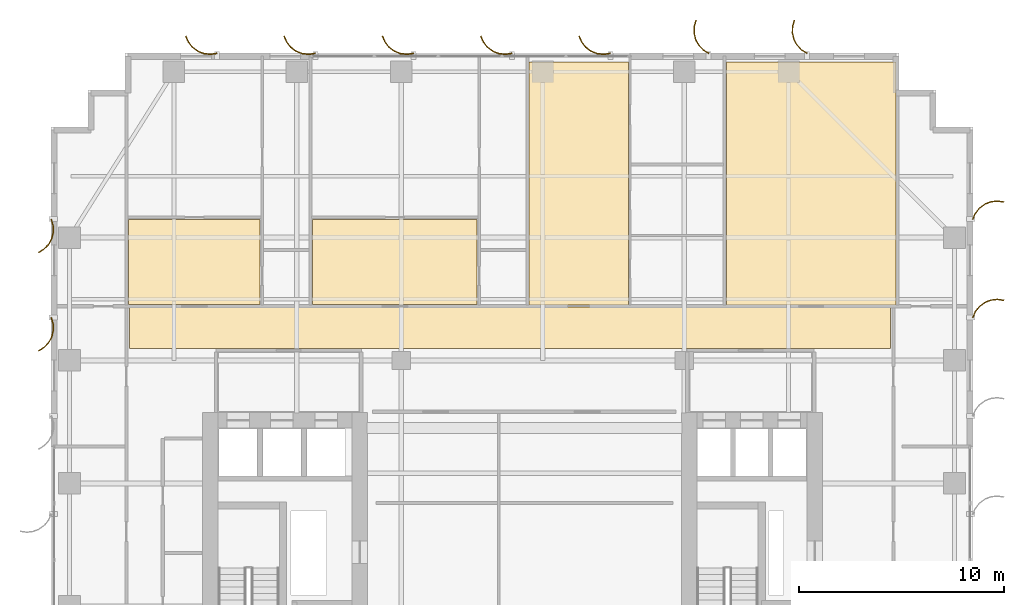
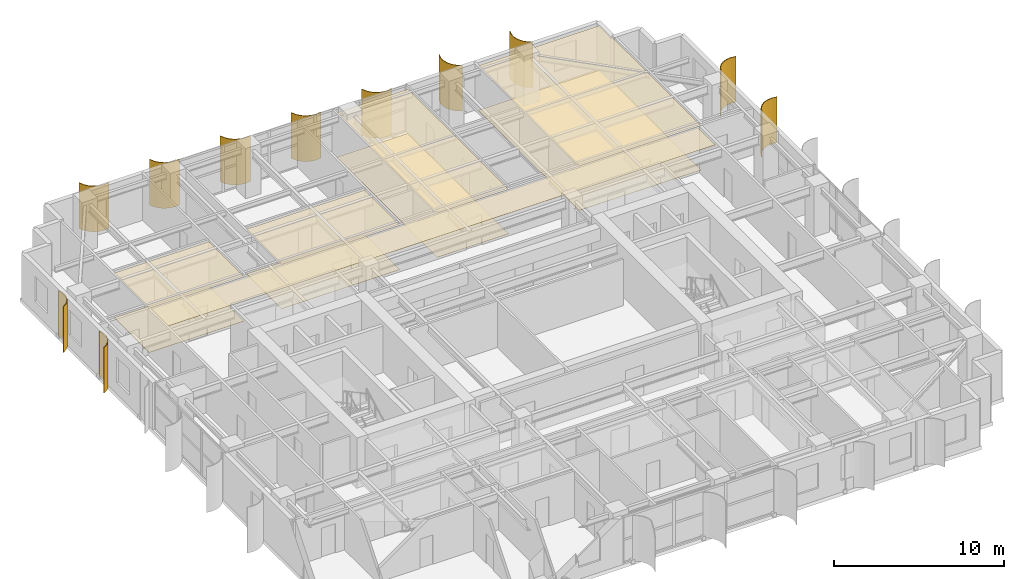
# One storey, part 22 of 22: 11 shading devices, 9 coverings.
"""IFC4 building model written with IfcOpenShell, lengths in metres."""

import ifcopenshell
import ifcopenshell.guid

model = None  # the IFC model being written
_history = None  # IfcOwnerHistory: only IFC2X3 demands one
_inside = {}  # id of a spatial element -> (the spatial element, [elements in it])
_under = {}  # id of a project, library or spatial element -> (it, [spatial elements below it])
_declared = {}  # id of a project -> (the project, [libraries it declares])
_typed = {}  # id of a type object -> (the type object, [elements of that type])
_made_of = {}  # id of a material, layer set ... -> (it, [elements and type objects made of it])


def new_model(schema):
    """Start an empty IFC model of exactly this schema.

    Asked for "IFC4X3", IfcOpenShell would pick the latest addendum, in which some entities
    have other attributes; the version numbers below select the first issue.
    IFC2X3 requires an IfcOwnerHistory on every rooted entity: one is made here for all.
    """
    global model, _history
    if schema == "IFC4X3":
        model = ifcopenshell.file(schema_version=(4, 3, 0, 0))
    else:
        model = ifcopenshell.file(schema=schema)
    _inside.clear()
    _under.clear()
    _declared.clear()
    _typed.clear()
    _made_of.clear()
    _history = None
    if model.schema == "IFC2X3":
        org = make("IfcOrganization", Name="unknown")
        user = make(
            "IfcPersonAndOrganization",
            ThePerson=make("IfcPerson", FamilyName="unknown"),
            TheOrganization=org,
        )
        app = make(
            "IfcApplication",
            ApplicationDeveloper=org,
            Version="unknown",
            ApplicationFullName="unknown",
            ApplicationIdentifier="unknown",
        )
        _history = make(
            "IfcOwnerHistory",
            OwningUser=user,
            OwningApplication=app,
            ChangeAction="ADDED",
            CreationDate=0,
        )
    return model


def make(cls, **values):
    """One entity of the class cls with the attributes given. An attribute that is None is left unset."""
    return model.create_entity(
        cls, **{name: value for name, value in values.items() if value is not None}
    )


def rooted(cls, **values):
    """An entity with a GlobalId (a new one), such as an element, a storey or a relation."""
    return make(cls, GlobalId=ifcopenshell.guid.new(), OwnerHistory=_history, **values)


def si_unit(unit_type, name, prefix=None):
    """IfcSIUnit, for example si_unit("LENGTHUNIT", "METRE", prefix="MILLI")."""
    return make("IfcSIUnit", UnitType=unit_type, Prefix=prefix, Name=name)


def assignment(units):
    """IfcUnitAssignment: the units of a project."""
    return None if units is None else make("IfcUnitAssignment", Units=units)


def point(xyz):
    """IfcCartesianPoint."""
    return None if xyz is None else make("IfcCartesianPoint", Coordinates=xyz)


def direction(xyz):
    """IfcDirection."""
    return None if xyz is None else make("IfcDirection", DirectionRatios=xyz)


def frame(location, z_axis=None, x_axis=None):
    """IfcAxis2Placement3D, a coordinate frame: its origin and axes. An axis left out is left unset."""
    return make(
        "IfcAxis2Placement3D",
        Location=point(location),
        Axis=direction(z_axis),
        RefDirection=direction(x_axis),
    )


def origin():
    """The frame at (0, 0, 0) with its axes left unset."""
    return frame((0.0, 0.0, 0.0))


def place(relative_to, where):
    """IfcLocalPlacement: puts the frame where relative to a parent placement (None: the world)."""
    return make(
        "IfcLocalPlacement", PlacementRelTo=relative_to, RelativePlacement=where
    )


def context(
    kind, dimensions, precision=None, world=None, true_north=None, identifier=None
):
    """IfcGeometricRepresentationContext, for example the 3D "Model" context."""
    return make(
        "IfcGeometricRepresentationContext",
        ContextIdentifier=identifier,
        ContextType=kind,
        CoordinateSpaceDimension=dimensions,
        Precision=precision,
        WorldCoordinateSystem=world,
        TrueNorth=true_north,
    )


def subcontext(parent, identifier, kind, view, scale=None):
    """IfcGeometricRepresentationSubContext, for example "Body" below "Model"."""
    return make(
        "IfcGeometricRepresentationSubContext",
        ContextIdentifier=identifier,
        ContextType=kind,
        ParentContext=parent,
        TargetScale=scale,
        TargetView=view,
    )


def project(units=None, contexts=None):
    """IfcProject with its units and contexts."""
    return rooted(
        "IfcProject",
        Name="project",
        RepresentationContexts=contexts,
        UnitsInContext=assignment(units),
    )


def spatial(cls, under=None, at=None, **own):
    """A site, building, storey or space (cls), placed at a placement, below another one or the project."""
    s = rooted(cls, ObjectPlacement=at, **own)
    if under is not None:
        _under.setdefault(under.id(), (under, []))[1].append(s)
    return s


def polyline(points):
    """IfcPolyline through the points."""
    return make("IfcPolyline", Points=[point(p) for p in points])


def outline(outer, holes=None, kind="AREA"):
    """IfcArbitraryClosedProfileDef: a profile drawn as a closed curve; with holes, ...WithVoids."""
    if holes is None:
        return make("IfcArbitraryClosedProfileDef", ProfileType=kind, OuterCurve=outer)
    return make(
        "IfcArbitraryProfileDefWithVoids",
        ProfileType=kind,
        OuterCurve=outer,
        InnerCurves=holes,
    )


def extrude(swept, where, along, depth):
    """IfcExtrudedAreaSolid: the profile swept, set in the frame where, extruded along a direction by depth."""
    return make(
        "IfcExtrudedAreaSolid",
        SweptArea=swept,
        Position=where,
        ExtrudedDirection=direction(along),
        Depth=depth,
    )


def shape(context_of_items, identifier, shape_type, items):
    """IfcShapeRepresentation: the items that make up one representation, for example the "Body"."""
    return make(
        "IfcShapeRepresentation",
        ContextOfItems=context_of_items,
        RepresentationIdentifier=identifier,
        RepresentationType=shape_type,
        Items=items,
    )


def source(mapping_origin, context_of_items, identifier, shape_type, items):
    """IfcRepresentationMap: a shape defined once, which mapped items show again and again."""
    return make(
        "IfcRepresentationMap",
        MappingOrigin=mapping_origin,
        MappedRepresentation=shape(context_of_items, identifier, shape_type, items),
    )


def transform(
    local_origin,
    x_axis=None,
    y_axis=None,
    z_axis=None,
    scale=None,
    scale2=None,
    scale3=None,
    uniform=True,
):
    """IfcCartesianTransformationOperator3D, or its non-uniform kind. x_axis, y_axis, z_axis: its Axis1, 2, 3."""
    if uniform:
        return make(
            "IfcCartesianTransformationOperator3D",
            Axis1=direction(x_axis),
            Axis2=direction(y_axis),
            LocalOrigin=point(local_origin),
            Scale=scale,
            Axis3=direction(z_axis),
        )
    return make(
        "IfcCartesianTransformationOperator3DnonUniform",
        Axis1=direction(x_axis),
        Axis2=direction(y_axis),
        LocalOrigin=point(local_origin),
        Scale=scale,
        Axis3=direction(z_axis),
        Scale2=scale2,
        Scale3=scale3,
    )


def mapped(mapping_source, mapping_target):
    """IfcMappedItem: shows the shape of a source again, moved by a transform."""
    return make(
        "IfcMappedItem", MappingSource=mapping_source, MappingTarget=mapping_target
    )


def material(Name=None, Category=None):
    """IfcMaterial."""
    return make("IfcMaterial", Name=Name, Category=Category)


def layer(
    of_material, thickness, ventilated=None, Name=None, Category=None, Priority=None
):
    """IfcMaterialLayer: one layer of a wall or slab, of a material (None: an air gap)."""
    return make(
        "IfcMaterialLayer",
        Material=of_material,
        LayerThickness=thickness,
        IsVentilated=ventilated,
        Name=Name,
        Category=Category,
        Priority=Priority,
    )


def layer_set(layers, Name=None):
    """IfcMaterialLayerSet."""
    return make("IfcMaterialLayerSet", MaterialLayers=layers, LayerSetName=Name)


def made_of(thing, what):
    """Note that an element or type object is made of a material, layer set ...; save() writes the relation."""
    if what is not None:
        _made_of.setdefault(what.id(), (what, []))[1].append(thing)
    return thing


def type_object(cls, material=None, **own):
    """A type object (cls), such as IfcWallType, which elements share."""
    return made_of(rooted(cls, **own), material)


def element(
    cls,
    number,
    at=None,
    inside=None,
    cuts=None,
    type_object=None,
    material=None,
    context=None,
    identifier="Body",
    shape_type=None,
    held_by="IfcProductDefinitionShape",
    body=None,
    shapes=None,
    **own,
):
    """One element of the class cls, such as IfcWall. Its Tag is "e" and its number.

    at: its placement. inside: the storey or other place that contains it. cuts: it is an
    opening in that element (IfcRelVoidsElement). A single representation is given by context,
    identifier, shape_type and body (its items); several are given by shapes. held_by: the class
    of the entity that holds the representations. save() writes the other relations.
    """
    e = rooted(cls, Tag="e%d" % number, ObjectPlacement=at, **own)
    if body is not None:
        shapes = [shape(context, identifier, shape_type, body)]
    if shapes is not None:
        e.Representation = make(held_by, Representations=shapes)
    if inside is not None:
        _inside.setdefault(inside.id(), (inside, []))[1].append(e)
    if cuts is not None:
        rooted(
            "IfcRelVoidsElement", RelatingBuildingElement=cuts, RelatedOpeningElement=e
        )
    if type_object is not None:
        _typed.setdefault(type_object.id(), (type_object, []))[1].append(e)
    return made_of(e, material)


def aggregate(whole, parts):
    """IfcRelAggregates: a whole, such as a stair, and the parts it consists of."""
    return rooted("IfcRelAggregates", RelatingObject=whole, RelatedObjects=parts)


def save(model, path):
    """Write the relations noted so far, then the file.

    IfcRelAggregates (storeys below a building ...), IfcRelContainedInSpatialStructure (elements
    in a storey), IfcRelDefinesByType, IfcRelAssociatesMaterial and IfcRelDeclares: one each for
    every whole, place, type object, material and project.
    """
    for whole, parts in _under.values():
        aggregate(whole, parts)
    for where, things in _inside.values():
        rooted(
            "IfcRelContainedInSpatialStructure",
            RelatedElements=things,
            RelatingStructure=where,
        )
    for kind, things in _typed.values():
        rooted("IfcRelDefinesByType", RelatedObjects=things, RelatingType=kind)
    for what, things in _made_of.values():
        rooted("IfcRelAssociatesMaterial", RelatedObjects=things, RelatingMaterial=what)
    for by, libraries in _declared.values():
        rooted("IfcRelDeclares", RelatingContext=by, RelatedDefinitions=libraries)
    model.write(path)


model = new_model("IFC4")

# Units and contexts
model_context = context("Model", 3, precision=1e-05, world=origin(), true_north=direction((0.0, 1.0)))
body_context = subcontext(model_context, "Body", "Model", "MODEL_VIEW")
ifc_project = project(units=[si_unit("LENGTHUNIT", "METRE"), si_unit("AREAUNIT", "SQUARE_METRE"), si_unit("VOLUMEUNIT", "CUBIC_METRE"), si_unit("PLANEANGLEUNIT", "RADIAN"), si_unit("MASSUNIT", "GRAM", prefix="KILO")], contexts=[model_context])

# Site, building, storey
site_placement = place(None, origin())
site = spatial("IfcSite", under=ifc_project, at=site_placement, CompositionType="ELEMENT")
building_placement = place(site_placement, origin())
building = spatial("IfcBuilding", under=site, at=building_placement, Name="Khoralis Quay Care Tower", CompositionType="ELEMENT")
storey_placement = place(building_placement, frame((0.0, 0.0, 101.699951171875)))
storey = spatial("IfcBuildingStorey", under=building, at=storey_placement, Name="L26", CompositionType="ELEMENT", Elevation=101.699951171875)

# Coverings
ifc_material_1 = material(Name="Mineral-fibre acoustic ceiling tile")
ifc_layer_1 = layer(ifc_material_1, 0.01806640625)
ifc_layer_set_1 = layer_set([ifc_layer_1], Name="Mineral-fibre acoustic ceiling tile")
covering_type_1 = type_object("IfcCoveringType", Name="COV-CEIL-AC18", PredefinedType="CEILING", material=ifc_layer_set_1)
covering_1_placement = place(storey_placement, frame((0.0, 0.0, 3.192138671875)))
element("IfcCovering", 1, at=covering_1_placement, inside=storey, type_object=covering_type_1, Name="Suspended Acoustic Ceiling SP-L26-CORR-N", PredefinedType="CEILING", context=body_context, shape_type="SweptSolid", body=[
    extrude(outline(polyline([(3.820068359375, 30.590087890625), (40.97998046875, 30.590087890625), (40.97998046875, 32.60009765625), (3.820068359375, 32.60009765625), (3.820068359375, 30.590087890625)])), origin(), (0.0, 0.0, 1.0), 0.017822265625),
])
covering_2_placement = place(storey_placement, frame((0.0, 0.0, 3.192138671875)))
element("IfcCovering", 2, at=covering_2_placement, inside=storey, type_object=covering_type_1, Name="Suspended Acoustic Ceiling SP-L26-NB-CARE0", PredefinedType="CEILING", context=body_context, shape_type="SweptSolid", body=[
    extrude(outline(polyline([(3.780029296875, 32.739990234375), (10.2099609375, 32.739990234375), (10.2099609375, 36.889892578125), (3.780029296875, 36.889892578125), (3.780029296875, 32.739990234375)])), origin(), (0.0, 0.0, 1.0), 0.017822265625),
])
covering_3_placement = place(storey_placement, frame((0.0, 0.0, 3.192138671875)))
element("IfcCovering", 3, at=covering_3_placement, inside=storey, type_object=covering_type_1, Name="Suspended Acoustic Ceiling SP-L26-NB-CARE1", PredefinedType="CEILING", context=body_context, shape_type="SweptSolid", body=[
    extrude(outline(polyline([(12.760009765625, 32.739990234375), (20.800048828125, 32.739990234375), (20.800048828125, 36.889892578125), (12.760009765625, 36.889892578125), (12.760009765625, 32.739990234375)])), origin(), (0.0, 0.0, 1.0), 0.017822265625),
])
covering_4_placement = place(storey_placement, frame((0.0, 0.0, 3.192138671875)))
element("IfcCovering", 4, at=covering_4_placement, inside=storey, type_object=covering_type_1, Name="Suspended Acoustic Ceiling SP-L26-NB-LIV2", PredefinedType="CEILING", context=body_context, shape_type="SweptSolid", body=[
    extrude(outline(polyline([(23.330078125, 32.719970703125), (28.177978515625, 32.719970703125), (28.177978515625, 44.580078125), (23.330078125, 44.580078125), (23.330078125, 32.719970703125)])), origin(), (0.0, 0.0, 1.0), 0.017822265625),
])
covering_5_placement = place(storey_placement, frame((0.0, 0.0, 3.192138671875)))
element("IfcCovering", 5, at=covering_5_placement, inside=storey, type_object=covering_type_1, Name="Suspended Acoustic Ceiling SP-L26-NB-COM3", PredefinedType="CEILING", context=body_context, shape_type="SweptSolid", body=[
    extrude(outline(polyline([(32.9599609375, 32.719970703125), (41.239990234375, 32.719970703125), (41.239990234375, 44.580078125), (32.9599609375, 44.580078125), (32.9599609375, 32.719970703125)])), origin(), (0.0, 0.0, 1.0), 0.017822265625),
])
ifc_material_2 = material(Name="Porcelain and non-slip vinyl flooring")
ifc_layer_2 = layer(ifc_material_2, 0.02001953125)
ifc_layer_set_2 = layer_set([ifc_layer_2], Name="Porcelain and non-slip vinyl flooring")
covering_type_2 = type_object("IfcCoveringType", Name="COV-FLOOR-20", PredefinedType="FLOORING", material=ifc_layer_set_2)
covering_6_placement = place(storey_placement, origin())
element("IfcCovering", 6, at=covering_6_placement, inside=storey, type_object=covering_type_2, Name="Resilient Healthcare Flooring SP-L26-NB-CARE0", PredefinedType="FLOORING", context=body_context, shape_type="SweptSolid", body=[
    extrude(outline(polyline([(3.780029296875, 32.739990234375), (10.2099609375, 32.739990234375), (10.2099609375, 36.889892578125), (3.780029296875, 36.889892578125), (3.780029296875, 32.739990234375)])), origin(), (0.0, 0.0, 1.0), 0.02001953125),
])
covering_7_placement = place(storey_placement, origin())
element("IfcCovering", 7, at=covering_7_placement, inside=storey, type_object=covering_type_2, Name="Resilient Healthcare Flooring SP-L26-NB-CARE1", PredefinedType="FLOORING", context=body_context, shape_type="SweptSolid", body=[
    extrude(outline(polyline([(12.760009765625, 32.739990234375), (20.800048828125, 32.739990234375), (20.800048828125, 36.889892578125), (12.760009765625, 36.889892578125), (12.760009765625, 32.739990234375)])), origin(), (0.0, 0.0, 1.0), 0.02001953125),
])
covering_8_placement = place(storey_placement, origin())
element("IfcCovering", 8, at=covering_8_placement, inside=storey, type_object=covering_type_2, Name="Resilient Healthcare Flooring SP-L26-NB-LIV2", PredefinedType="FLOORING", context=body_context, shape_type="SweptSolid", body=[
    extrude(outline(polyline([(23.330078125, 32.719970703125), (28.177978515625, 32.719970703125), (28.177978515625, 44.580078125), (23.330078125, 44.580078125), (23.330078125, 32.719970703125)])), origin(), (0.0, 0.0, 1.0), 0.02001953125),
])
covering_9_placement = place(storey_placement, origin())
element("IfcCovering", 9, at=covering_9_placement, inside=storey, type_object=covering_type_2, Name="Resilient Healthcare Flooring SP-L26-NB-COM3", PredefinedType="FLOORING", context=body_context, shape_type="SweptSolid", body=[
    extrude(outline(polyline([(32.9599609375, 32.719970703125), (41.239990234375, 32.719970703125), (41.239990234375, 44.580078125), (32.9599609375, 44.580078125), (32.9599609375, 32.719970703125)])), origin(), (0.0, 0.0, 1.0), 0.02001953125),
])

# Shading devices
ifc_material_3 = material(Name="Brushed pale anodised aluminium", Category="aluminium")
ifc_layer_3 = layer(ifc_material_3, 0.044921875)
ifc_layer_set_3 = layer_set([ifc_layer_3], Name="Brushed pale anodised aluminium")
shading_device_type = type_object("IfcShadingDeviceType", Name="SHD-FIN-1250", PredefinedType="USERDEFINED", material=ifc_layer_set_3)
shared_shape_1 = source(origin(), body_context, "Body", "SweptSolid", [
    extrude(outline(polyline([(0.0, 0.0), (0.17041015625, 0.2783203125), (0.4072265625, 0.5029296875), (0.694091796875, 0.658447265625), (1.01123046875, 0.734619140625), (1.33740234375, 0.72607421875), (1.650390625, 0.633544921875), (1.632080078125, 0.59228515625), (1.330322265625, 0.681640625), (1.015869140625, 0.68994140625), (0.710205078125, 0.616455078125), (0.43359375, 0.466552734375), (0.20556640625, 0.25), (0.041015625, -0.018310546875), (0.0, 0.0)])), origin(), (0.0, 0.0, 1.0), 3.280029296875),
])
for number, where, z_axis, x_axis, name in (
    (10, (36.89990234375, 44.969970703125, 0.02001953125), (0.0, 0.0, 1.0), (0.0, 1.0, 0.0), "L26 Curved Solar Fin P1E10-01"),
    (11, (32.10009765625, 44.969970703125, 0.02001953125), (0.0, 0.0, 1.0), (0.0, 1.0, 0.0), "L26 Curved Solar Fin P1E10-02"),
):
    element("IfcShadingDevice", number, at=place(storey_placement, frame(where, z_axis=z_axis, x_axis=x_axis)), inside=storey, type_object=shading_device_type, Name=name, ObjectType="FIN", PredefinedType="USERDEFINED", context=body_context, shape_type="MappedRepresentation", body=[
        mapped(shared_shape_1, transform((0.0, 0.0, 0.0), scale=1.0)),
    ])
shared_shape_2 = source(origin(), body_context, "Body", "SweptSolid", [
    extrude(outline(polyline([(0.0, 0.0), (-0.04833984375, 0.32275390625), (-0.01123046875, 0.64697265625), (0.1083984375, 0.950439453125), (0.302490234375, 1.212890625), (0.557861328125, 1.416015625), (0.85693359375, 1.546142578125), (0.869384765625, 1.5029296875), (0.5810546875, 1.37744140625), (0.334716796875, 1.181640625), (0.147705078125, 0.9287109375), (0.032470703125, 0.635986328125), (-0.003173828125, 0.323486328125), (0.043212890625, 0.012451171875), (0.0, 0.0)])), origin(), (0.0, 0.0, 1.0), 3.280029296875),
])
for number, where, z_axis, x_axis, name in (
    (12, (27.300048828125, 44.969970703125, 0.02001953125), (0.0, 0.0, 1.0), (0.0, 1.0, 0.0), "L26 Curved Solar Fin P1E10-03"),
    (13, (22.5, 44.969970703125, 0.02001953125), (0.0, 0.0, 1.0), (0.0, 1.0, 0.0), "L26 Curved Solar Fin P1E10-04"),
    (14, (17.699951171875, 44.969970703125, 0.02001953125), (0.0, 0.0, 1.0), (0.0, 1.0, 0.0), "L26 Curved Solar Fin P1E10-05"),
    (15, (12.89990234375, 44.969970703125, 0.02001953125), (0.0, 0.0, 1.0), (0.0, 1.0, 0.0), "L26 Curved Solar Fin P1E10-06"),
    (16, (8.10009765625, 44.969970703125, 0.02001953125), (0.0, 0.0, 1.0), (0.0, 1.0, 0.0), "L26 Curved Solar Fin P1E10-07"),
):
    element("IfcShadingDevice", number, at=place(storey_placement, frame(where, z_axis=z_axis, x_axis=x_axis)), inside=storey, type_object=shading_device_type, Name=name, ObjectType="FIN", PredefinedType="USERDEFINED", context=body_context, shape_type="MappedRepresentation", body=[
        mapped(shared_shape_2, transform((0.0, 0.0, 0.0), scale=1.0)),
    ])
shared_shape_3 = source(origin(), body_context, "Body", "SweptSolid", [
    extrude(outline(polyline([(0.0, 0.0), (-0.0927734375, 0.31298828125), (-0.101318359375, 0.63916015625), (-0.025146484375, 0.956298828125), (0.130615234375, 1.2431640625), (0.355224609375, 1.479736328125), (0.633544921875, 1.650390625), (0.65185546875, 1.609130859375), (0.383544921875, 1.44482421875), (0.1669921875, 1.216796875), (0.01708984375, 0.940185546875), (-0.056396484375, 0.63427734375), (-0.04833984375, 0.31982421875), (0.041015625, 0.018310546875), (0.0, 0.0)])), origin(), (0.0, 0.0, 1.0), 3.280029296875),
])
for number, where, z_axis, x_axis, name in (
    (17, (0.030029296875, 36.89990234375, 0.02001953125), (0.0, 0.0, 1.0), (-1.0, 0.0, 0.0), "L26 Curved Solar Fin P1E15-01"),
    (18, (0.030029296875, 32.10009765625, 0.02001953125), (0.0, 0.0, 1.0), (-1.0, 0.0, 0.0), "L26 Curved Solar Fin P1E15-02"),
):
    element("IfcShadingDevice", number, at=place(storey_placement, frame(where, z_axis=z_axis, x_axis=x_axis)), inside=storey, type_object=shading_device_type, Name=name, ObjectType="FIN", PredefinedType="USERDEFINED", context=body_context, shape_type="MappedRepresentation", body=[
        mapped(shared_shape_3, transform((0.0, 0.0, 0.0), scale=1.0)),
    ])
shared_shape_4 = source(origin(), body_context, "Body", "SweptSolid", [
    extrude(outline(polyline([(0.0, 0.0), (0.130126953125, 0.29931640625), (0.333251953125, 0.5546875), (0.595458984375, 0.748779296875), (0.899169921875, 0.868408203125), (1.223388671875, 0.9052734375), (1.546142578125, 0.85693359375), (1.53369140625, 0.813720703125), (1.22265625, 0.8603515625), (0.91015625, 0.82470703125), (0.617431640625, 0.70947265625), (0.364501953125, 0.522216796875), (0.168701171875, 0.276123046875), (0.043212890625, -0.012451171875), (0.0, 0.0)])), origin(), (0.0, 0.0, 1.0), 3.280029296875),
])
for number, where, z_axis, x_axis, name in (
    (19, (44.969970703125, 32.10009765625, 0.02001953125), (0.0, 0.0, 1.0), (1.0, 0.0, 0.0), "L26 Curved Solar Fin P1E5-06"),
    (20, (44.969970703125, 36.89990234375, 0.02001953125), (0.0, 0.0, 1.0), (1.0, 0.0, 0.0), "L26 Curved Solar Fin P1E5-07"),
):
    element("IfcShadingDevice", number, at=place(storey_placement, frame(where, z_axis=z_axis, x_axis=x_axis)), inside=storey, type_object=shading_device_type, Name=name, ObjectType="FIN", PredefinedType="USERDEFINED", context=body_context, shape_type="MappedRepresentation", body=[
        mapped(shared_shape_4, transform((0.0, 0.0, 0.0), scale=1.0)),
    ])

save(model, "model.ifc")
